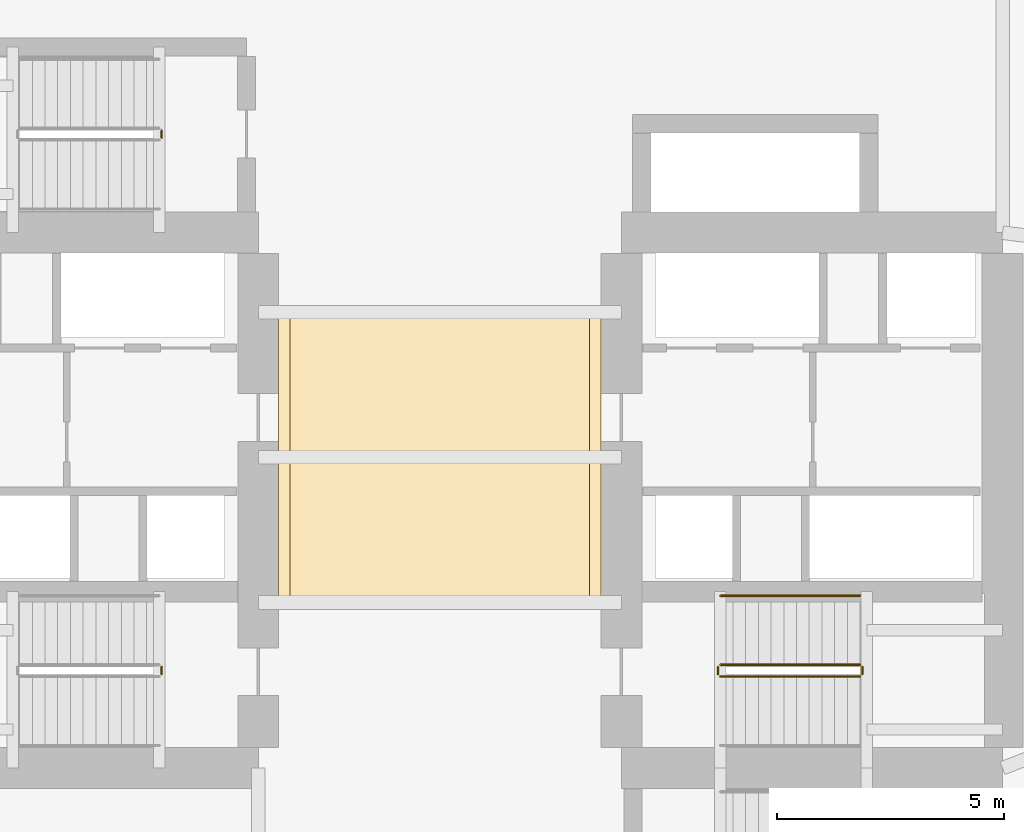
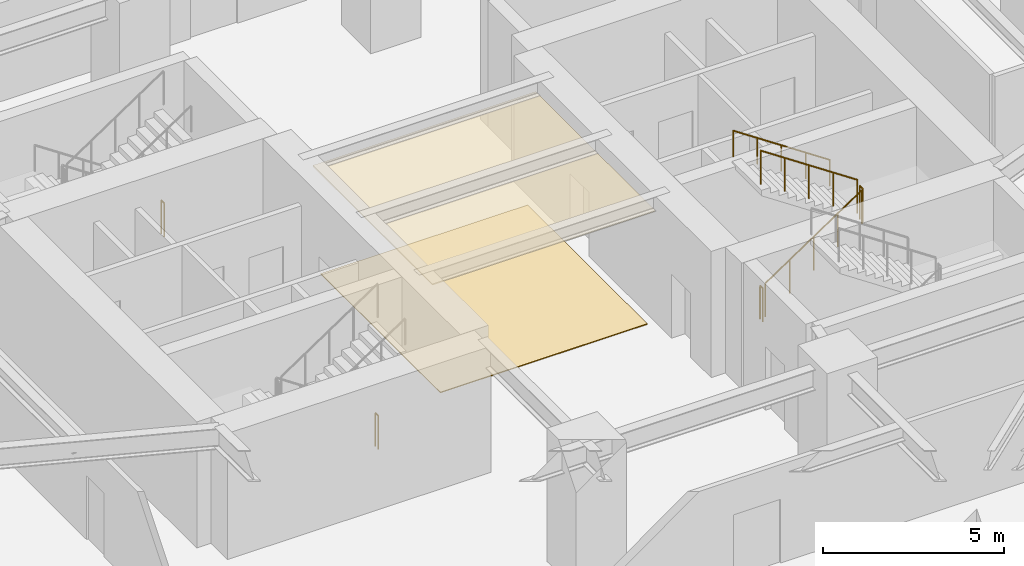
# One storey, part 22 of 23: 7 railings, 2 coverings.
"""IFC4 building model written with IfcOpenShell, lengths in metres."""

from ifc_helpers import new_model, si_unit, direction, frame, origin, origin_with_axes, origin_2d, place, context, subcontext, project, spatial, rectangle, circle, extrude, material, layer, layer_set, type_object, element, save


model = new_model("IFC4")

# Units and contexts
model_context = context("Model", 3, precision=1e-05, world=origin(), true_north=direction((0.0, 1.0)))
body_context = subcontext(model_context, "Body", "Model", "MODEL_VIEW")
ifc_project = project(units=[si_unit("LENGTHUNIT", "METRE"), si_unit("AREAUNIT", "SQUARE_METRE"), si_unit("VOLUMEUNIT", "CUBIC_METRE"), si_unit("PLANEANGLEUNIT", "RADIAN"), si_unit("MASSUNIT", "GRAM", prefix="KILO")], contexts=[model_context])

# Site, building, storey
site_placement = place(None, origin())
site = spatial("IfcSite", under=ifc_project, at=site_placement, CompositionType="ELEMENT")
building_placement = place(site_placement, origin())
building = spatial("IfcBuilding", under=site, at=building_placement, Name="Qingluan Cross Belvedere", CompositionType="ELEMENT")
storey_placement = place(building_placement, frame((0.0, 0.0, 10.199951171875)))
storey = spatial("IfcBuildingStorey", under=building, at=storey_placement, Name="L03", CompositionType="ELEMENT", Elevation=10.199951171875)

# Coverings
ifc_material_1 = material(Name="Perforated gypsum acoustic ceiling board")
ifc_layer_1 = layer(ifc_material_1, 0.0400390625, Name="AcousticLobbyCeiling_40")
ifc_layer_set_1 = layer_set([ifc_layer_1], Name="Perforated gypsum acoustic ceiling board")
covering_type_1 = type_object("IfcCoveringType", Name="AcousticLobbyCeiling_40", PredefinedType="CEILING", material=ifc_layer_set_1)
covering_1_placement = place(storey_placement, frame((0.0, 0.0, 3.721923828125), z_axis=(0.0, 0.0, 1.0), x_axis=(1.0, 0.0, 0.0)))
element("IfcCovering", 1, at=covering_1_placement, inside=storey, type_object=covering_type_1, Name="Central lobby acoustic ceiling L03", PredefinedType="CEILING", context=body_context, shape_type="SweptSolid", body=[
    extrude(rectangle(XDim=7.10009765625, YDim=6.60009765625, at=origin_2d()), origin(), (0.0, 0.0, 1.0), 0.0400390625),
])
ifc_material_2 = material(Name="Honed Hubei grey granite stone flooring", Category="masonry")
ifc_layer_2 = layer(ifc_material_2, 0.030029296875, Name="GraniteLobbyFlooring_30")
ifc_layer_set_2 = layer_set([ifc_layer_2], Name="Honed Hubei grey granite stone flooring")
covering_type_2 = type_object("IfcCoveringType", Name="GraniteLobbyFlooring_30", PredefinedType="FLOORING", material=ifc_layer_set_2)
covering_2_placement = place(storey_placement, origin_with_axes())
element("IfcCovering", 2, at=covering_2_placement, inside=storey, type_object=covering_type_2, Name="Central lobby granite flooring L03", PredefinedType="FLOORING", context=body_context, shape_type="SweptSolid", body=[
    extrude(rectangle(XDim=6.60009765625, YDim=6.60009765625, at=origin_2d()), origin(), (0.0, 0.0, 1.0), 0.030029296875),
])

# Railings
ifc_material_3 = material(Name="Brushed stainless steel tubular handrail", Category="steel")
railing_type_1 = type_object("IfcRailingType", Name="StairPitchHandrail_900", PredefinedType="HANDRAIL", material=ifc_material_3)
railing_1_placement = place(storey_placement, frame((9.260009765625, -3.050048828125, 2.4375)))
element("IfcRailing", 3, at=railing_1_placement, inside=storey, type_object=railing_type_1, Name="L03 ST2 stair handrail 2", PredefinedType="HANDRAIL", context=body_context, shape_type="SweptSolid", body=[
    extrude(circle(Radius=0.02392578125, at=origin_2d()), frame((0.0, 0.0, 0.8759765625), z_axis=(-0.830913701846, 0.0, 0.55640131208), x_axis=(0.0, -1.0, 0.0)), (0.0, 0.0, 1.0), 3.706787109375),
    extrude(circle(Radius=0.02099609375, at=origin_2d()), origin(), (0.0, 0.0, 1.0), 0.851806640625),
    extrude(circle(Radius=0.02099609375, at=origin_2d()), frame((-0.77001953125, 0.0, 0.515625)), (0.0, 0.0, 1.0), 0.851806640625),
    extrude(circle(Radius=0.02099609375, at=origin_2d()), frame((-1.5400390625, 0.0, 1.03125)), (0.0, 0.0, 1.0), 0.851806640625),
    extrude(circle(Radius=0.02099609375, at=origin_2d()), frame((-2.31005859375, 0.0, 1.546875)), (0.0, 0.0, 1.0), 0.851806640625),
    extrude(circle(Radius=0.02099609375, at=origin_2d()), frame((-3.080078125, 0.0, 2.0625)), (0.0, 0.0, 1.0), 0.851806640625),
])
ifc_material_4 = material(Name="Painted steel stair well guard", Category="steel")
railing_type_2 = type_object("IfcRailingType", Name="StairWellGuard_1150", PredefinedType="BALUSTRADE", material=ifc_material_4)
railing_2_placement = place(storey_placement, frame((-6.1298828125, -4.6201171875, 0.0)))
element("IfcRailing", 4, at=railing_2_placement, inside=storey, type_object=railing_type_2, Name="L03 ST1 stair guard 4", PredefinedType="BALUSTRADE", context=body_context, shape_type="SweptSolid", body=[
    extrude(circle(Radius=0.02392578125, at=origin_2d()), frame((0.0, 0.0, 1.1259765625), z_axis=(0.0, -1.0, 0.0), x_axis=(1.0, 0.0, 0.0)), (0.0, 0.0, 1.0), 0.159912109375),
    extrude(circle(Radius=0.02099609375, at=origin_2d()), origin(), (0.0, 0.0, 1.0), 1.101806640625),
    extrude(circle(Radius=0.02099609375, at=origin_2d()), frame((0.0, -0.159912109375, 0.0)), (0.0, 0.0, 1.0), 1.101806640625),
])
railing_3_placement = place(storey_placement, frame((6.179931640625, -4.830078125, 0.1875)))
element("IfcRailing", 5, at=railing_3_placement, inside=storey, type_object=railing_type_2, Name="L03 ST2 stair guard 1", PredefinedType="BALUSTRADE", context=body_context, shape_type="SweptSolid", body=[
    extrude(circle(Radius=0.02392578125, at=origin_2d()), frame((0.0, 0.0, 1.1259765625), z_axis=(0.830913701846, 0.0, 0.55640131208), x_axis=(0.0, 1.0, 0.0)), (0.0, 0.0, 1.0), 3.706787109375),
    extrude(circle(Radius=0.02099609375, at=origin_2d()), origin(), (0.0, 0.0, 1.0), 1.101806640625),
    extrude(circle(Radius=0.02099609375, at=origin_2d()), frame((0.77001953125, 0.0, 0.515625)), (0.0, 0.0, 1.0), 1.101806640625),
    extrude(circle(Radius=0.02099609375, at=origin_2d()), frame((1.5400390625, 0.0, 1.03125)), (0.0, 0.0, 1.0), 1.101806640625),
    extrude(circle(Radius=0.02099609375, at=origin_2d()), frame((2.31005859375, 0.0, 1.546875)), (0.0, 0.0, 1.0), 1.101806640625),
    extrude(circle(Radius=0.02099609375, at=origin_2d()), frame((3.080078125, 0.0, 2.0625)), (0.0, 0.0, 1.0), 1.101806640625),
])
railing_4_placement = place(storey_placement, frame((9.31005859375, -4.780029296875, 2.25)))
element("IfcRailing", 6, at=railing_4_placement, inside=storey, type_object=railing_type_2, Name="L03 ST2 stair guard 2", PredefinedType="BALUSTRADE", context=body_context, shape_type="SweptSolid", body=[
    extrude(circle(Radius=0.02392578125, at=origin_2d()), frame((0.0, 0.0, 1.1259765625), z_axis=(0.0, 1.0, 0.0), x_axis=(-1.0, 0.0, 0.0)), (0.0, 0.0, 1.0), 0.159912109375),
    extrude(circle(Radius=0.02099609375, at=origin_2d()), origin(), (0.0, 0.0, 1.0), 1.101806640625),
    extrude(circle(Radius=0.02099609375, at=origin_2d()), frame((0.0, 0.159912109375, 0.0)), (0.0, 0.0, 1.0), 1.101806640625),
])
railing_5_placement = place(storey_placement, frame((9.260009765625, -4.570068359375, 2.4375)))
element("IfcRailing", 7, at=railing_5_placement, inside=storey, type_object=railing_type_2, Name="L03 ST2 stair guard 3", PredefinedType="BALUSTRADE", context=body_context, shape_type="SweptSolid", body=[
    extrude(circle(Radius=0.02392578125, at=origin_2d()), frame((0.0, 0.0, 1.1259765625), z_axis=(-0.830913701846, 0.0, 0.55640131208), x_axis=(0.0, -1.0, 0.0)), (0.0, 0.0, 1.0), 3.706787109375),
    extrude(circle(Radius=0.02099609375, at=origin_2d()), origin(), (0.0, 0.0, 1.0), 1.101806640625),
    extrude(circle(Radius=0.02099609375, at=origin_2d()), frame((-0.77001953125, 0.0, 0.515625)), (0.0, 0.0, 1.0), 1.101806640625),
    extrude(circle(Radius=0.02099609375, at=origin_2d()), frame((-1.5400390625, 0.0, 1.03125)), (0.0, 0.0, 1.0), 1.101806640625),
    extrude(circle(Radius=0.02099609375, at=origin_2d()), frame((-2.31005859375, 0.0, 1.546875)), (0.0, 0.0, 1.0), 1.101806640625),
    extrude(circle(Radius=0.02099609375, at=origin_2d()), frame((-3.080078125, 0.0, 2.0625)), (0.0, 0.0, 1.0), 1.101806640625),
])
railing_6_placement = place(storey_placement, frame((6.1298828125, -4.780029296875, 0.0)))
element("IfcRailing", 8, at=railing_6_placement, inside=storey, type_object=railing_type_2, Name="L03 ST2 stair guard 4", PredefinedType="BALUSTRADE", context=body_context, shape_type="SweptSolid", body=[
    extrude(circle(Radius=0.02392578125, at=origin_2d()), frame((0.0, 0.0, 1.1259765625), z_axis=(0.0, 1.0, 0.0), x_axis=(-1.0, 0.0, 0.0)), (0.0, 0.0, 1.0), 0.159912109375),
    extrude(circle(Radius=0.02099609375, at=origin_2d()), origin(), (0.0, 0.0, 1.0), 1.101806640625),
    extrude(circle(Radius=0.02099609375, at=origin_2d()), frame((0.0, 0.159912109375, 0.0)), (0.0, 0.0, 1.0), 1.101806640625),
])
railing_7_placement = place(storey_placement, frame((-6.1298828125, 7.199951171875, 0.0)))
element("IfcRailing", 9, at=railing_7_placement, inside=storey, type_object=railing_type_2, Name="L03 ST3 stair guard 4", PredefinedType="BALUSTRADE", context=body_context, shape_type="SweptSolid", body=[
    extrude(circle(Radius=0.02392578125, at=origin_2d()), frame((0.0, 0.0, 1.1259765625), z_axis=(0.0, -1.0, 0.0), x_axis=(1.0, 0.0, 0.0)), (0.0, 0.0, 1.0), 0.159912109375),
    extrude(circle(Radius=0.02099609375, at=origin_2d()), origin(), (0.0, 0.0, 1.0), 1.101806640625),
    extrude(circle(Radius=0.02099609375, at=origin_2d()), frame((0.0, -0.159912109375, 0.0)), (0.0, 0.0, 1.0), 1.101806640625),
])

save(model, "model.ifc")
